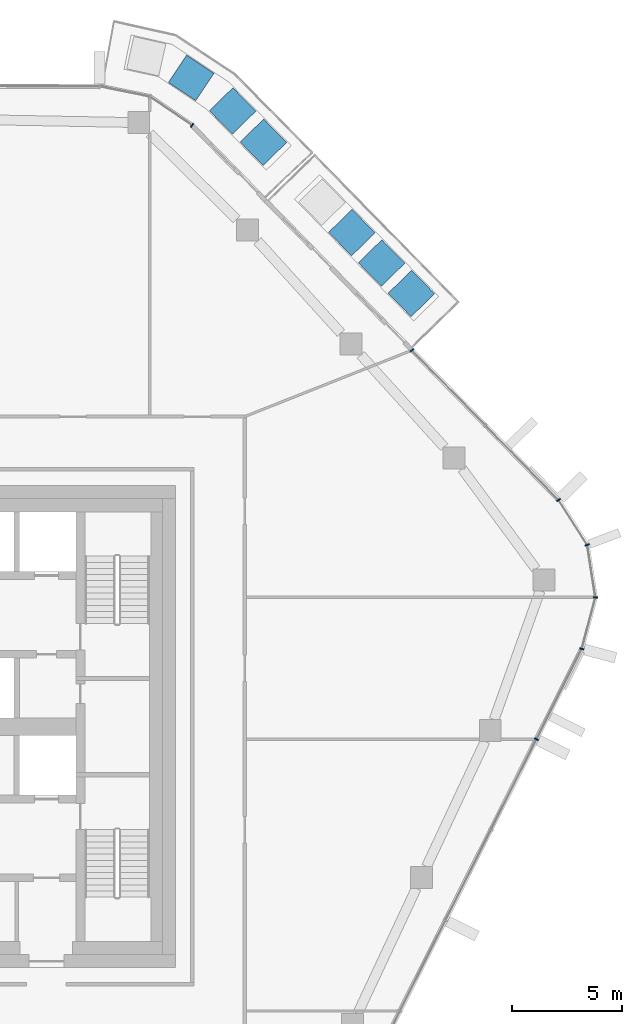
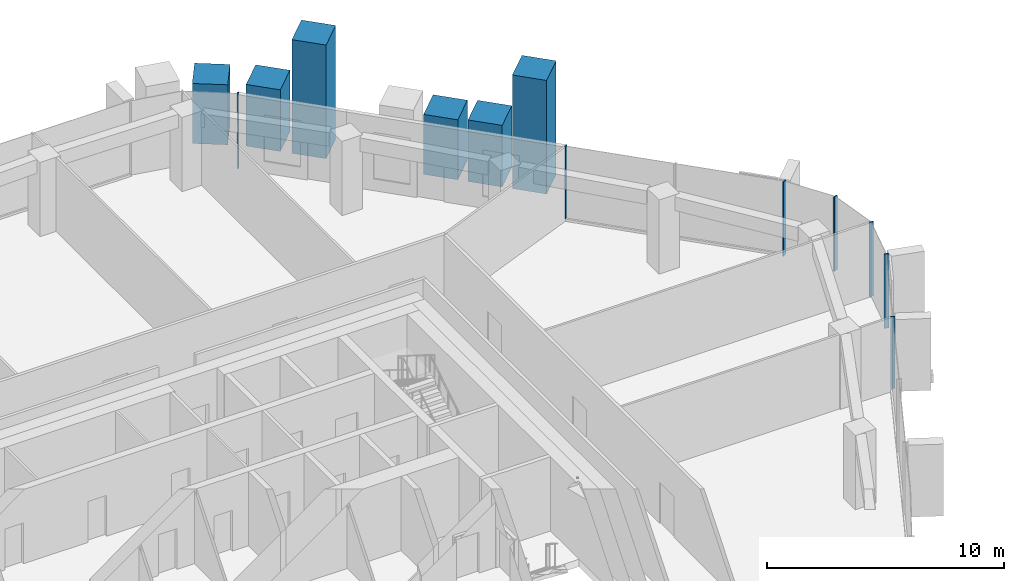
# One storey, part 10 of 23: 13 members, 4 elements without a shape of their own.
"""IFC4 building model written with IfcOpenShell, lengths in metres."""

from ifc_helpers import new_model, si_unit, direction, frame, origin, origin_2d, place, context, subcontext, project, spatial, rectangle, extrude, material, layer, layer_set, material_profile, profile_set, type_object, element, aggregate, save


model = new_model("IFC4")

# Units and contexts
model_context = context("Model", 3, precision=1e-05, world=origin(), true_north=direction((0.0, 1.0)))
body_context = subcontext(model_context, "Body", "Model", "MODEL_VIEW")
ifc_project = project(units=[si_unit("LENGTHUNIT", "METRE"), si_unit("AREAUNIT", "SQUARE_METRE"), si_unit("VOLUMEUNIT", "CUBIC_METRE"), si_unit("PLANEANGLEUNIT", "RADIAN"), si_unit("MASSUNIT", "GRAM", prefix="KILO")], contexts=[model_context])

# Site, building, storey
site_placement = place(None, origin())
site = spatial("IfcSite", under=ifc_project, at=site_placement, CompositionType="ELEMENT")
building_placement = place(site_placement, origin())
building = spatial("IfcBuilding", under=site, at=building_placement, Name="Dongbaek Canopy Tower", CompositionType="ELEMENT")
storey_placement = place(building_placement, frame((0.0, 0.0, 315.199951171875)))
storey = spatial("IfcBuildingStorey", under=building, at=storey_placement, Name="L67", CompositionType="ELEMENT", Elevation=315.199951171875)

# Curtain wall, members
ifc_material_1 = material(Name="Aluminium 6063-T6 pale anodised", Category="aluminium")
ifc_layer = layer(ifc_material_1, 0.199951171875)
ifc_layer_set = layer_set([ifc_layer], Name="CW-1 unitised tower curtain wall")
curtain_wall_type = type_object("IfcCurtainWallType", Name="CW-1 unitised tower curtain wall", PredefinedType="NOTDEFINED", material=ifc_layer_set)
curtain_wall_1_placement = place(storey_placement, origin())
curtain_wall_1 = element("IfcCurtainWall", 1, at=curtain_wall_1_placement, inside=storey, type_object=curtain_wall_type, Name="CW-1 curtain wall K0.1", PredefinedType="NOTDEFINED")
ifc_material_2 = material(Name="Aluminium 6063-T6 pale anodised", Category="aluminium")
ifc_material_profile_1 = material_profile(ifc_material_2, rectangle(XDim=0.199951171875, YDim=0.06005859375, at=origin_2d()), Name="CW-1 mullion 60 x 200")
ifc_profile_set_1 = profile_set([ifc_material_profile_1], Name="Aluminium 6063-T6 pale anodised")
member_type_1 = type_object("IfcMemberType", Name="CW-1 mullion 60 x 200", PredefinedType="MULLION", material=ifc_profile_set_1)
member_1_placement = place(storey_placement, frame((32.529541015625, 3.55126953125, 0.0), z_axis=(0.0, 0.0, 1.0), x_axis=(0.966753373375, -0.255710608049, 0.0)))
member_1 = element("IfcMember", 2, at=member_1_placement, type_object=member_type_1, Name="CW-1 mullion K0.1.1", PredefinedType="MULLION", context=body_context, shape_type="SweptSolid", body=[
    extrude(rectangle(XDim=0.199951171875, YDim=0.06005859375, at=origin_2d()), origin(), (0.0, 0.0, 1.0), 3.820068359375),
])
member_2_placement = place(storey_placement, frame((33.15087890625, 5.90087890625, 0.0), z_axis=(0.0, 0.0, 1.0), x_axis=(0.998649925147, -0.051945423314, 0.0)))
member_2 = element("IfcMember", 3, at=member_2_placement, type_object=member_type_1, Name="CW-1 mullion K0.1.2", PredefinedType="MULLION", context=body_context, shape_type="SweptSolid", body=[
    extrude(rectangle(XDim=0.199951171875, YDim=0.06005859375, at=origin_2d()), origin(), (0.0, 0.0, 1.0), 3.820068359375),
])
member_3_placement = place(storey_placement, frame((32.778076171875, 8.291748046875, 0.0), z_axis=(0.0, 0.0, 1.0), x_axis=(0.935452598022, 0.353452170532, 0.0)))
member_3 = element("IfcMember", 4, at=member_3_placement, type_object=member_type_1, Name="CW-1 mullion K0.1.3", PredefinedType="MULLION", context=body_context, shape_type="SweptSolid", body=[
    extrude(rectangle(XDim=0.199951171875, YDim=0.06005859375, at=origin_2d()), origin(), (0.0, 0.0, 1.0), 3.820068359375),
])
member_4_placement = place(storey_placement, frame((31.470947265625, 10.3408203125, 0.0), z_axis=(0.0, 0.0, 1.0), x_axis=(0.843046984311, 0.537839922509, 0.0)))
member_4 = element("IfcMember", 5, at=member_4_placement, type_object=member_type_1, Name="CW-1 mullion K0.1.4", PredefinedType="MULLION", context=body_context, shape_type="SweptSolid", body=[
    extrude(rectangle(XDim=0.199951171875, YDim=0.06005859375, at=origin_2d()), origin(), (0.0, 0.0, 1.0), 3.820068359375),
])
aggregate(curtain_wall_1, [member_1, member_2, member_3, member_4])

# Curtain wall, member
curtain_wall_2_placement = place(storey_placement, origin())
curtain_wall_2 = element("IfcCurtainWall", 6, at=curtain_wall_2_placement, inside=storey, type_object=curtain_wall_type, Name="CW-1 curtain wall F0.1", PredefinedType="NOTDEFINED")
member_5_placement = place(storey_placement, frame((24.7822265625, 17.17724609375, 0.1201171875), z_axis=(0.0, 0.0, 1.0), x_axis=(0.714780141035, 0.699349233203, 0.0)))
member_5 = element("IfcMember", 7, at=member_5_placement, type_object=member_type_1, Name="CW-1 mullion F0.1.3", PredefinedType="MULLION", context=body_context, shape_type="SweptSolid", body=[
    extrude(rectangle(XDim=0.199951171875, YDim=0.06005859375, at=origin_2d()), origin(), (0.0, 0.0, 1.0), 3.699951171875),
])
aggregate(curtain_wall_2, [member_5])

curtain_wall_3_placement = place(storey_placement, origin())
curtain_wall_3 = element("IfcCurtainWall", 8, at=curtain_wall_3_placement, inside=storey, type_object=curtain_wall_type, Name="CW-1 curtain wall K1.1", PredefinedType="NOTDEFINED")
member_6_placement = place(storey_placement, frame((14.7451171875, 27.435546875, 0.0), z_axis=(0.0, 0.0, 1.0), x_axis=(0.562806606992, 0.826588605732, 0.0)))
member_6 = element("IfcMember", 9, at=member_6_placement, type_object=member_type_1, Name="CW-1 mullion K1.1.1", PredefinedType="MULLION", context=body_context, shape_type="SweptSolid", body=[
    extrude(rectangle(XDim=0.199951171875, YDim=0.06005859375, at=origin_2d()), origin(), (0.0, 0.0, 1.0), 3.820068359375),
])
aggregate(curtain_wall_3, [member_6])

curtain_wall_4_placement = place(storey_placement, origin())
curtain_wall_4 = element("IfcCurtainWall", 10, at=curtain_wall_4_placement, inside=storey, type_object=curtain_wall_type, Name="CW-1 curtain wall F5.1", PredefinedType="NOTDEFINED")
member_7_placement = place(storey_placement, frame((30.459228515625, -0.573486328125, 0.1201171875), z_axis=(0.0, 0.0, 1.0), x_axis=(0.893733414129, -0.448598466859, 0.0)))
member_7 = element("IfcMember", 11, at=member_7_placement, type_object=member_type_1, Name="CW-1 mullion F5.1.7", PredefinedType="MULLION", context=body_context, shape_type="SweptSolid", body=[
    extrude(rectangle(XDim=0.199951171875, YDim=0.06005859375, at=origin_2d()), origin(), (0.0, 0.0, 1.0), 3.699951171875),
])
aggregate(curtain_wall_4, [member_7])

# Members
ifc_material_3 = material(Name="Concrete C40/50 planter mass with planting", Category="concrete")
ifc_material_profile_2 = material_profile(ifc_material_3, rectangle(XDim=1.5, YDim=1.5, at=origin_2d()), Name="Terrace PLANTER shrub mass 1500 x 1500")
ifc_profile_set_2 = profile_set([ifc_material_profile_2], Name="Concrete C40/50 planter mass with planting")
member_type_2 = type_object("IfcMemberType", Name="Terrace PLANTER shrub mass 1500 x 1500", PredefinedType="USERDEFINED", material=ifc_profile_set_2)
member_8_placement = place(storey_placement, frame((24.752685546875, 19.766845703125, 0.420166015625), z_axis=(0.0, 0.0, 1.0), x_axis=(0.714780141035, 0.699349233203, 0.0)))
element("IfcMember", 12, at=member_8_placement, inside=storey, type_object=member_type_2, Name="Planter tree L67 1.1", ObjectType="PLANTER", PredefinedType="USERDEFINED", context=body_context, shape_type="SweptSolid", body=[
    extrude(rectangle(XDim=1.5, YDim=1.5, at=origin_2d()), origin(), (0.0, 0.0, 1.0), 5.849853515625),
])
member_9_placement = place(storey_placement, frame((23.393310546875, 21.15625, 0.420166015625), z_axis=(0.0, 0.0, 1.0), x_axis=(0.714780141035, 0.699349233203, 0.0)))
element("IfcMember", 13, at=member_9_placement, inside=storey, type_object=member_type_2, Name="Planter shrubs L67 1.2", ObjectType="PLANTER", PredefinedType="USERDEFINED", context=body_context, shape_type="SweptSolid", body=[
    extrude(rectangle(XDim=1.5, YDim=1.5, at=origin_2d()), origin(), (0.0, 0.0, 1.0), 3.169921875),
])
member_10_placement = place(storey_placement, frame((22.0341796875, 22.54541015625, 0.420166015625), z_axis=(0.0, 0.0, 1.0), x_axis=(0.714780141035, 0.699349233203, 0.0)))
element("IfcMember", 14, at=member_10_placement, inside=storey, type_object=member_type_2, Name="Planter shrubs L67 1.3", ObjectType="PLANTER", PredefinedType="USERDEFINED", context=body_context, shape_type="SweptSolid", body=[
    extrude(rectangle(XDim=1.5, YDim=1.5, at=origin_2d()), origin(), (0.0, 0.0, 1.0), 3.08984375),
])
member_11_placement = place(storey_placement, frame((17.999755859375, 26.666015625, 0.420166015625), z_axis=(0.0, 0.0, 1.0), x_axis=(0.713325765474, 0.700832613619, 0.0)))
element("IfcMember", 15, at=member_11_placement, inside=storey, type_object=member_type_2, Name="Planter tree L67 5.1", ObjectType="PLANTER", PredefinedType="USERDEFINED", context=body_context, shape_type="SweptSolid", body=[
    extrude(rectangle(XDim=1.5, YDim=1.5, at=origin_2d()), origin(), (0.0, 0.0, 1.0), 5.849853515625),
])
member_12_placement = place(storey_placement, frame((16.59619140625, 28.09423828125, 0.420166015625), z_axis=(0.0, 0.0, 1.0), x_axis=(0.713325765474, 0.700832613619, 0.0)))
element("IfcMember", 16, at=member_12_placement, inside=storey, type_object=member_type_2, Name="Planter shrubs L67 5.2", ObjectType="PLANTER", PredefinedType="USERDEFINED", context=body_context, shape_type="SweptSolid", body=[
    extrude(rectangle(XDim=1.5, YDim=1.5, at=origin_2d()), origin(), (0.0, 0.0, 1.0), 3.169921875),
])
member_13_placement = place(storey_placement, frame((14.702392578125, 29.605224609375, 0.420166015625), z_axis=(0.0, 0.0, 1.0), x_axis=(0.555614839947, 0.831439805176, 0.0)))
element("IfcMember", 17, at=member_13_placement, inside=storey, type_object=member_type_2, Name="Planter shrubs L67 5.3", ObjectType="PLANTER", PredefinedType="USERDEFINED", context=body_context, shape_type="SweptSolid", body=[
    extrude(rectangle(XDim=1.5, YDim=1.5, at=origin_2d()), origin(), (0.0, 0.0, 1.0), 3.08984375),
])

save(model, "model.ifc")
